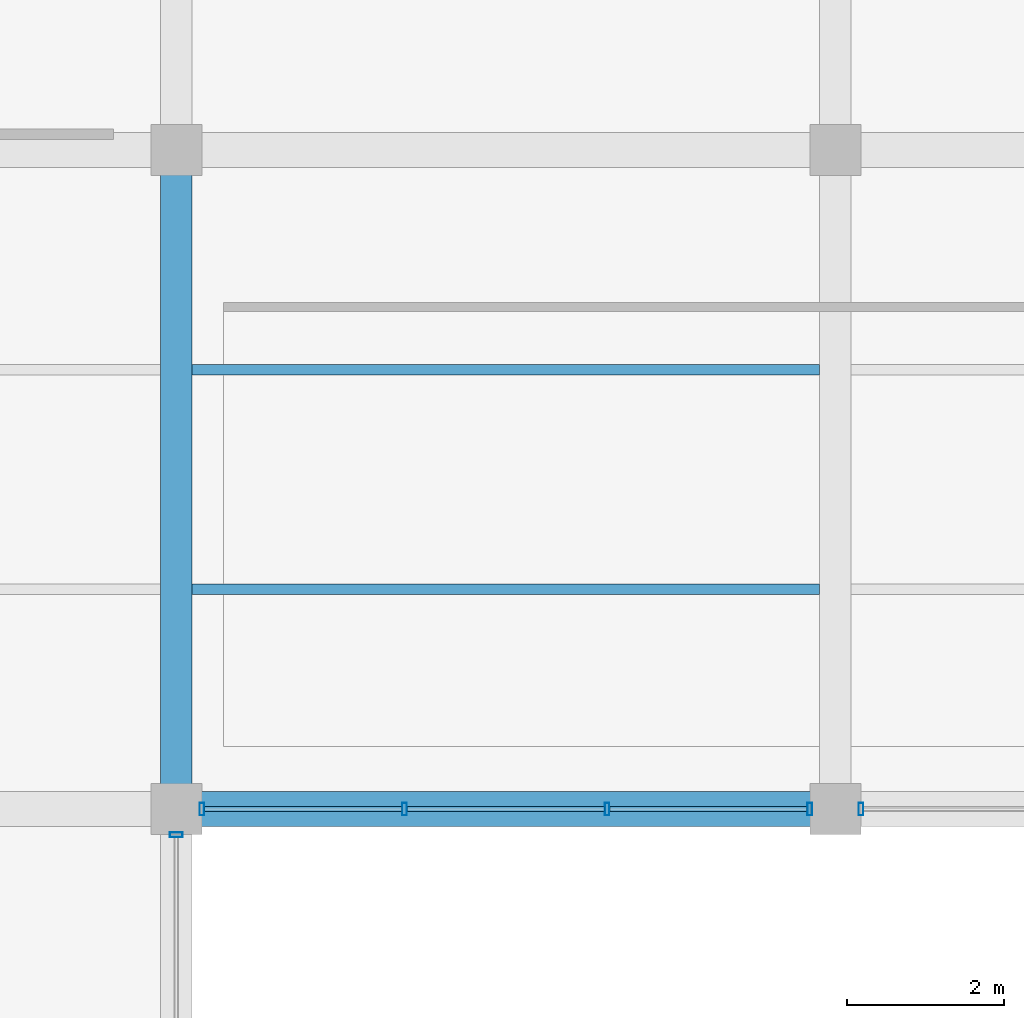
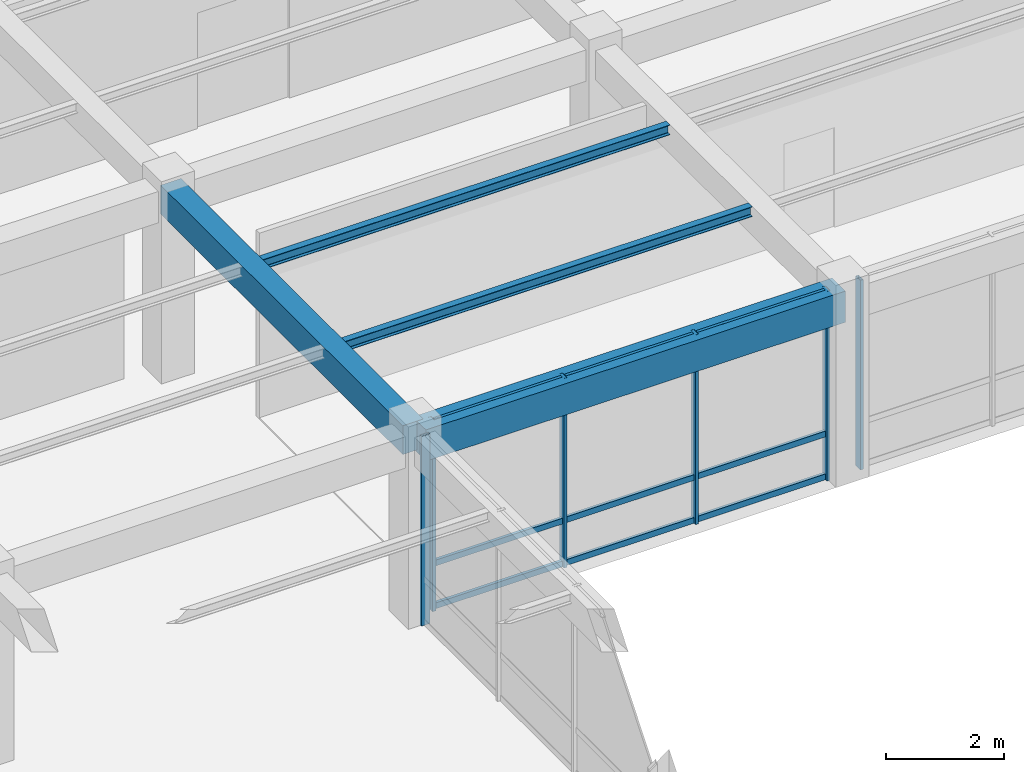
# One storey, part 13 of 138: 15 members, 4 beams, 3 elements without a shape of their own.
"""IFC4 building model written with IfcOpenShell, lengths in metres."""

from ifc_helpers import new_model, si_unit, direction, frame, origin, origin_2d, place, context, subcontext, project, spatial, rectangle, hollow_rectangle, i_section, extrude, material, material_profile, profile_set, type_object, element, aggregate, save


model = new_model("IFC4")

# Units and contexts
model_context = context("Model", 3, precision=1e-05, world=origin(), true_north=direction((0.0, 1.0)))
body_context = subcontext(model_context, "Body", "Model", "MODEL_VIEW")
ifc_project = project(units=[si_unit("LENGTHUNIT", "METRE"), si_unit("AREAUNIT", "SQUARE_METRE"), si_unit("VOLUMEUNIT", "CUBIC_METRE"), si_unit("PLANEANGLEUNIT", "RADIAN"), si_unit("MASSUNIT", "GRAM", prefix="KILO"), si_unit("THERMODYNAMICTEMPERATUREUNIT", "KELVIN"), si_unit("POWERUNIT", "WATT")], contexts=[model_context])

# Site, building, storey
site_placement = place(None, origin())
site = spatial("IfcSite", under=ifc_project, at=site_placement, CompositionType="ELEMENT")
building_placement = place(site_placement, origin())
building = spatial("IfcBuilding", under=site, at=building_placement, Name="Darbajah Civic Hall", CompositionType="ELEMENT")
storey_placement = place(building_placement, frame((0.0, 0.0, 9.60009765625)))
storey = spatial("IfcBuildingStorey", under=building, at=storey_placement, Name="L02", CompositionType="ELEMENT", Elevation=9.60009765625)

# Curtain wall, member
ifc_material_1 = material(Name="Anodised Bronze Aluminium and Low-E Glazing", Category="aluminium")
curtain_wall_type = type_object("IfcCurtainWallType", Name="Unitised Curtain Wall CW-99 7700x3950", PredefinedType="USERDEFINED", material=ifc_material_1)
curtain_wall_1_placement = place(storey_placement, origin())
curtain_wall_1 = element("IfcCurtainWall", 1, at=curtain_wall_1_placement, inside=storey, type_object=curtain_wall_type, Name="L02 unitised curtain wall CW-V5-L02-S1-B1", ObjectType="UNITISED CURTAIN WALL", PredefinedType="USERDEFINED")
ifc_material_2 = material(Name="Anodised Bronze Aluminium", Category="aluminium")
ifc_material_profile_1 = material_profile(ifc_material_2, hollow_rectangle(XDim=0.06005859375, YDim=0.159912109375, WallThickness=0.00341796875, at=origin_2d()), Name="ALU MULLION 60x160")
ifc_profile_set_1 = profile_set([ifc_material_profile_1], Name="Anodised Bronze Aluminium")
member_type_1 = type_object("IfcMemberType", Name="ALU MULLION 60x160", PredefinedType="MULLION", material=ifc_profile_set_1)
member_1_placement = place(storey_placement, frame((16.800048828125, 16.472900390625, 0.0), z_axis=(0.0, 0.0, 1.0), x_axis=(0.0, 1.0, 0.0)))
member_1 = element("IfcMember", 2, at=member_1_placement, type_object=member_type_1, Name="CW-V5-L02-S1-B1 mullion 4", PredefinedType="MULLION", context=body_context, shape_type="SweptSolid", body=[
    extrude(hollow_rectangle(XDim=0.06005859375, YDim=0.159912109375, WallThickness=0.00341796875, at=origin_2d()), origin(), (0.0, 0.0, 1.0), 3.93994140625),
])
aggregate(curtain_wall_1, [member_1])

# Curtain wall, members
curtain_wall_2_placement = place(storey_placement, origin())
curtain_wall_2 = element("IfcCurtainWall", 3, at=curtain_wall_2_placement, inside=storey, type_object=curtain_wall_type, Name="L02 unitised curtain wall CW-V5-L02-S2-B0", ObjectType="UNITISED CURTAIN WALL", PredefinedType="USERDEFINED")
member_2_placement = place(storey_placement, frame((17.126953125, 16.800048828125, 0.0), z_axis=(0.0, 0.0, 1.0), x_axis=(1.0, 0.0, 0.0)))
member_2 = element("IfcMember", 4, at=member_2_placement, type_object=member_type_1, Name="CW-V5-L02-S2-B0 mullion 1", PredefinedType="MULLION", context=body_context, shape_type="SweptSolid", body=[
    extrude(hollow_rectangle(XDim=0.06005859375, YDim=0.159912109375, WallThickness=0.00341796875, at=origin_2d()), origin(), (0.0, 0.0, 1.0), 3.93994140625),
])
member_3_placement = place(storey_placement, frame((19.708984375, 16.800048828125, 0.0), z_axis=(0.0, 0.0, 1.0), x_axis=(1.0, 0.0, 0.0)))
member_3 = element("IfcMember", 5, at=member_3_placement, type_object=member_type_1, Name="CW-V5-L02-S2-B0 mullion 2", PredefinedType="MULLION", context=body_context, shape_type="SweptSolid", body=[
    extrude(hollow_rectangle(XDim=0.06005859375, YDim=0.159912109375, WallThickness=0.00341796875, at=origin_2d()), origin(), (0.0, 0.0, 1.0), 3.93994140625),
])
member_4_placement = place(storey_placement, frame((22.291015625, 16.800048828125, 0.0), z_axis=(0.0, 0.0, 1.0), x_axis=(1.0, 0.0, 0.0)))
member_4 = element("IfcMember", 6, at=member_4_placement, type_object=member_type_1, Name="CW-V5-L02-S2-B0 mullion 3", PredefinedType="MULLION", context=body_context, shape_type="SweptSolid", body=[
    extrude(hollow_rectangle(XDim=0.06005859375, YDim=0.159912109375, WallThickness=0.00341796875, at=origin_2d()), origin(), (0.0, 0.0, 1.0), 3.93994140625),
])
member_5_placement = place(storey_placement, frame((24.873046875, 16.800048828125, 0.0), z_axis=(0.0, 0.0, 1.0), x_axis=(1.0, 0.0, 0.0)))
member_5 = element("IfcMember", 7, at=member_5_placement, type_object=member_type_1, Name="CW-V5-L02-S2-B0 mullion 4", PredefinedType="MULLION", context=body_context, shape_type="SweptSolid", body=[
    extrude(hollow_rectangle(XDim=0.06005859375, YDim=0.159912109375, WallThickness=0.00341796875, at=origin_2d()), origin(), (0.0, 0.0, 1.0), 3.93994140625),
])

# Curtain wall, member
curtain_wall_3_placement = place(storey_placement, origin())
curtain_wall_3 = element("IfcCurtainWall", 8, at=curtain_wall_3_placement, inside=storey, type_object=curtain_wall_type, Name="L02 unitised curtain wall CW-V5-L02-S2-B1", ObjectType="UNITISED CURTAIN WALL", PredefinedType="USERDEFINED")
member_6_placement = place(storey_placement, frame((25.527099609375, 16.800048828125, 0.0), z_axis=(0.0, 0.0, 1.0), x_axis=(1.0, 0.0, 0.0)))
member_6 = element("IfcMember", 9, at=member_6_placement, type_object=member_type_1, Name="CW-V5-L02-S2-B1 mullion 1", PredefinedType="MULLION", context=body_context, shape_type="SweptSolid", body=[
    extrude(hollow_rectangle(XDim=0.06005859375, YDim=0.159912109375, WallThickness=0.00341796875, at=origin_2d()), origin(), (0.0, 0.0, 1.0), 3.93994140625),
])
aggregate(curtain_wall_3, [member_6])

# Member
ifc_material_profile_2 = material_profile(ifc_material_2, hollow_rectangle(XDim=0.06005859375, YDim=0.1201171875, WallThickness=0.003173828125, at=origin_2d()), Name="ALU TRANSOM 60x120")
ifc_profile_set_2 = profile_set([ifc_material_profile_2], Name="Anodised Bronze Aluminium")
member_type_2 = type_object("IfcMemberType", Name="ALU TRANSOM 60x120", PredefinedType="USERDEFINED", material=ifc_profile_set_2)
member_7_placement = place(storey_placement, frame((17.162109375, 16.800048828125, 0.059814453125), z_axis=(1.0, 0.0, 0.0), x_axis=(0.0, 1.0, 0.0)))
member_7 = element("IfcMember", 10, at=member_7_placement, type_object=member_type_2, Name="CW-V5-L02-S2-B0 transom 1.1", ObjectType="TRANSOM", PredefinedType="USERDEFINED", context=body_context, shape_type="SweptSolid", body=[
    extrude(hollow_rectangle(XDim=0.06005859375, YDim=0.1201171875, WallThickness=0.003173828125, at=origin_2d()), origin(), (0.0, 0.0, 1.0), 2.511962890625),
])

member_8_placement = place(storey_placement, frame((17.162109375, 16.800048828125, 0.949951171875), z_axis=(1.0, 0.0, 0.0), x_axis=(0.0, 1.0, 0.0)))
member_8 = element("IfcMember", 11, at=member_8_placement, type_object=member_type_2, Name="CW-V5-L02-S2-B0 transom 1.2", ObjectType="TRANSOM", PredefinedType="USERDEFINED", context=body_context, shape_type="SweptSolid", body=[
    extrude(hollow_rectangle(XDim=0.06005859375, YDim=0.1201171875, WallThickness=0.003173828125, at=origin_2d()), origin(), (0.0, 0.0, 1.0), 2.511962890625),
])

member_9_placement = place(storey_placement, frame((17.162109375, 16.800048828125, 3.8798828125), z_axis=(1.0, 0.0, 0.0), x_axis=(0.0, 1.0, 0.0)))
member_9 = element("IfcMember", 12, at=member_9_placement, type_object=member_type_2, Name="CW-V5-L02-S2-B0 transom 1.3", ObjectType="TRANSOM", PredefinedType="USERDEFINED", context=body_context, shape_type="SweptSolid", body=[
    extrude(hollow_rectangle(XDim=0.06005859375, YDim=0.1201171875, WallThickness=0.003173828125, at=origin_2d()), origin(), (0.0, 0.0, 1.0), 2.511962890625),
])

member_10_placement = place(storey_placement, frame((19.743896484375, 16.800048828125, 0.059814453125), z_axis=(1.0, 0.0, 0.0), x_axis=(0.0, 1.0, 0.0)))
member_10 = element("IfcMember", 13, at=member_10_placement, type_object=member_type_2, Name="CW-V5-L02-S2-B0 transom 2.1", ObjectType="TRANSOM", PredefinedType="USERDEFINED", context=body_context, shape_type="SweptSolid", body=[
    extrude(hollow_rectangle(XDim=0.06005859375, YDim=0.1201171875, WallThickness=0.003173828125, at=origin_2d()), origin(), (0.0, 0.0, 1.0), 2.51220703125),
])

member_11_placement = place(storey_placement, frame((19.743896484375, 16.800048828125, 0.949951171875), z_axis=(1.0, 0.0, 0.0), x_axis=(0.0, 1.0, 0.0)))
member_11 = element("IfcMember", 14, at=member_11_placement, type_object=member_type_2, Name="CW-V5-L02-S2-B0 transom 2.2", ObjectType="TRANSOM", PredefinedType="USERDEFINED", context=body_context, shape_type="SweptSolid", body=[
    extrude(hollow_rectangle(XDim=0.06005859375, YDim=0.1201171875, WallThickness=0.003173828125, at=origin_2d()), origin(), (0.0, 0.0, 1.0), 2.51220703125),
])

member_12_placement = place(storey_placement, frame((19.743896484375, 16.800048828125, 3.8798828125), z_axis=(1.0, 0.0, 0.0), x_axis=(0.0, 1.0, 0.0)))
member_12 = element("IfcMember", 15, at=member_12_placement, type_object=member_type_2, Name="CW-V5-L02-S2-B0 transom 2.3", ObjectType="TRANSOM", PredefinedType="USERDEFINED", context=body_context, shape_type="SweptSolid", body=[
    extrude(hollow_rectangle(XDim=0.06005859375, YDim=0.1201171875, WallThickness=0.003173828125, at=origin_2d()), origin(), (0.0, 0.0, 1.0), 2.51220703125),
])

member_13_placement = place(storey_placement, frame((22.325927734375, 16.800048828125, 0.059814453125), z_axis=(1.0, 0.0, 0.0), x_axis=(0.0, 1.0, 0.0)))
member_13 = element("IfcMember", 16, at=member_13_placement, type_object=member_type_2, Name="CW-V5-L02-S2-B0 transom 3.1", ObjectType="TRANSOM", PredefinedType="USERDEFINED", context=body_context, shape_type="SweptSolid", body=[
    extrude(hollow_rectangle(XDim=0.06005859375, YDim=0.1201171875, WallThickness=0.003173828125, at=origin_2d()), origin(), (0.0, 0.0, 1.0), 2.511962890625),
])

member_14_placement = place(storey_placement, frame((22.325927734375, 16.800048828125, 0.949951171875), z_axis=(1.0, 0.0, 0.0), x_axis=(0.0, 1.0, 0.0)))
member_14 = element("IfcMember", 17, at=member_14_placement, type_object=member_type_2, Name="CW-V5-L02-S2-B0 transom 3.2", ObjectType="TRANSOM", PredefinedType="USERDEFINED", context=body_context, shape_type="SweptSolid", body=[
    extrude(hollow_rectangle(XDim=0.06005859375, YDim=0.1201171875, WallThickness=0.003173828125, at=origin_2d()), origin(), (0.0, 0.0, 1.0), 2.511962890625),
])

member_15_placement = place(storey_placement, frame((22.325927734375, 16.800048828125, 3.8798828125), z_axis=(1.0, 0.0, 0.0), x_axis=(0.0, 1.0, 0.0)))
member_15 = element("IfcMember", 18, at=member_15_placement, type_object=member_type_2, Name="CW-V5-L02-S2-B0 transom 3.3", ObjectType="TRANSOM", PredefinedType="USERDEFINED", context=body_context, shape_type="SweptSolid", body=[
    extrude(hollow_rectangle(XDim=0.06005859375, YDim=0.1201171875, WallThickness=0.003173828125, at=origin_2d()), origin(), (0.0, 0.0, 1.0), 2.511962890625),
])

aggregate(curtain_wall_2, [member_2, member_3, member_4, member_5, member_7, member_8, member_9, member_10, member_11, member_12, member_13, member_14, member_15])

# Beams
ifc_material_3 = material(Name="Concrete C45/55", Category="concrete")
ifc_material_profile_3 = material_profile(ifc_material_3, rectangle(XDim=0.39990234375, YDim=0.60009765625, at=origin_2d()), Name="RC BEAM 400x600")
ifc_profile_set_3 = profile_set([ifc_material_profile_3], Name="Concrete C45/55")
beam_type_1 = type_object("IfcBeamType", Name="RC BEAM 400x600", PredefinedType="BEAM", material=ifc_profile_set_3)
beam_1_placement = place(storey_placement, frame((16.800048828125, 16.8798828125, 3.639892578125), z_axis=(0.0, 1.0, 0.0), x_axis=(-1.0, 0.0, 0.0)))
element("IfcBeam", 19, at=beam_1_placement, inside=storey, type_object=beam_type_1, Name="L02 beam BM-4060", PredefinedType="BEAM", context=body_context, shape_type="SweptSolid", body=[
    extrude(rectangle(XDim=0.39990234375, YDim=0.60009765625, at=origin_2d()), origin(), (0.0, 0.0, 1.0), 8.240234375),
])
ifc_material_profile_4 = material_profile(ifc_material_3, rectangle(XDim=0.449951171875, YDim=0.64990234375, at=origin_2d()), Name="RC BEAM 450x650")
ifc_profile_set_4 = profile_set([ifc_material_profile_4], Name="Concrete C45/55")
beam_type_2 = type_object("IfcBeamType", Name="RC BEAM 450x650", PredefinedType="BEAM", material=ifc_profile_set_4)
beam_2_placement = place(storey_placement, frame((16.8798828125, 16.800048828125, 3.614990234375), z_axis=(1.0, 0.0, 0.0), x_axis=(0.0, 1.0, 0.0)))
element("IfcBeam", 20, at=beam_2_placement, inside=storey, type_object=beam_type_2, Name="L02 beam BM-4565", PredefinedType="BEAM", context=body_context, shape_type="SweptSolid", body=[
    extrude(rectangle(XDim=0.449951171875, YDim=0.64990234375, at=origin_2d()), origin(), (0.0, 0.0, 1.0), 8.240234375),
])
ifc_material_4 = material(Name="Steel S355JR", Category="steel")
ifc_material_profile_5 = material_profile(ifc_material_4, i_section(OverallWidth=0.1337890625, OverallDepth=0.206787109375, WebThickness=0.00634765625, FlangeThickness=0.009521484375, FilletRadius=0.007568359375, at=origin_2d()), Name="UB 203x133x30")
ifc_profile_set_5 = profile_set([ifc_material_profile_5], Name="Steel S355JR")
beam_type_3 = type_object("IfcBeamType", Name="UB 203x133x30", PredefinedType="JOIST", material=ifc_profile_set_5)
for number, where, z_axis, x_axis, name in (
    (21, (17.0, 19.60009765625, 3.83642578125), (1.0, 0.0, 0.0), (0.0, 1.0, 0.0), "L02 beam SJ-203"),
    (22, (17.0, 22.39990234375, 3.83642578125), (1.0, 0.0, 0.0), (0.0, 1.0, 0.0), "L02 beam SJ-203"),
):
    element("IfcBeam", number, at=place(storey_placement, frame(where, z_axis=z_axis, x_axis=x_axis)), inside=storey, type_object=beam_type_3, Name=name, PredefinedType="JOIST", context=body_context, shape_type="SweptSolid", body=[
        extrude(i_section(OverallWidth=0.1337890625, OverallDepth=0.206787109375, WebThickness=0.00634765625, FlangeThickness=0.009521484375, FilletRadius=0.007568359375, at=origin_2d()), origin(), (0.0, 0.0, 1.0), 8.0),
    ])

save(model, "model.ifc")
